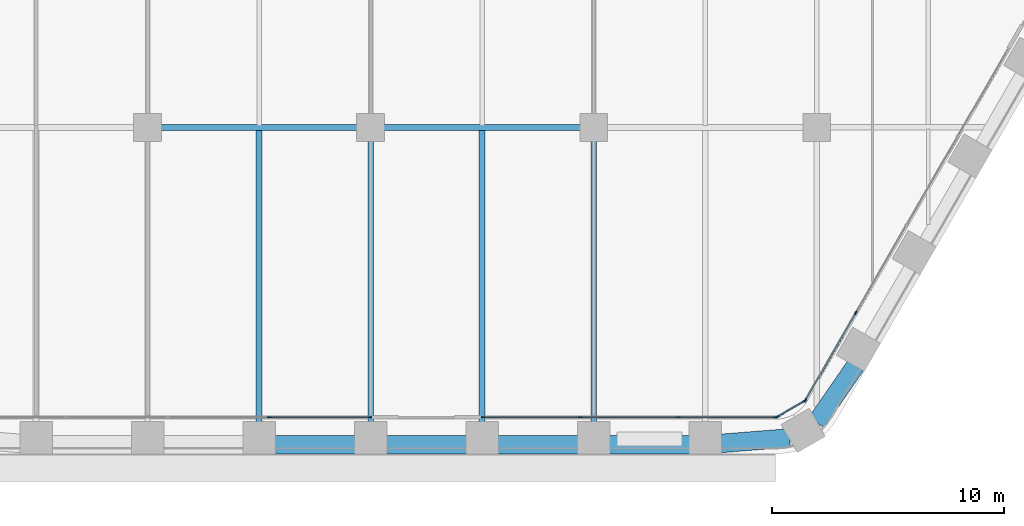
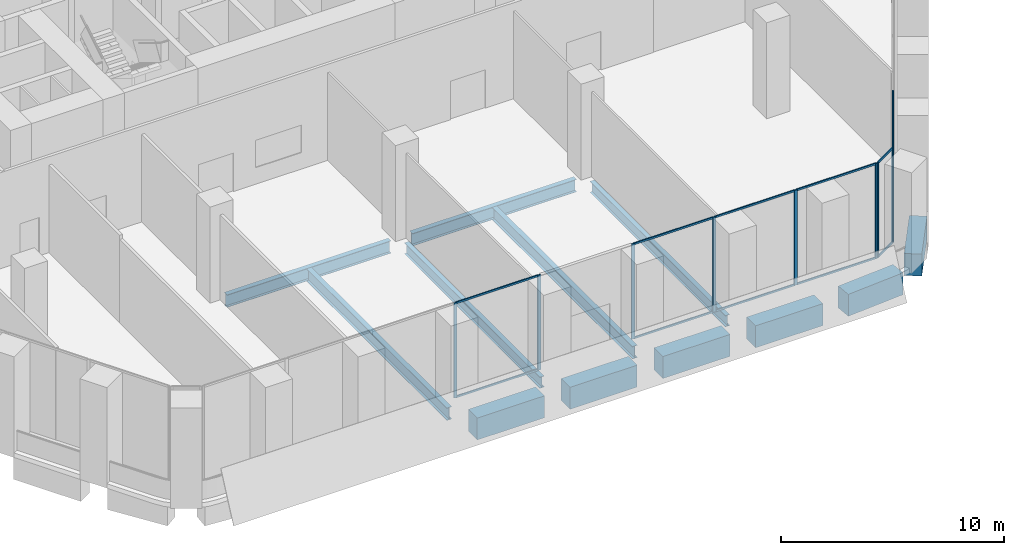
# One storey, part 4 of 29: 22 members, 12 beams, 4 elements without a shape of their own.
"""IFC4 building model written with IfcOpenShell, lengths in metres."""

import ifcopenshell
import ifcopenshell.guid

model = None  # the IFC model being written
_history = None  # IfcOwnerHistory: only IFC2X3 demands one
_inside = {}  # id of a spatial element -> (the spatial element, [elements in it])
_under = {}  # id of a project, library or spatial element -> (it, [spatial elements below it])
_declared = {}  # id of a project -> (the project, [libraries it declares])
_typed = {}  # id of a type object -> (the type object, [elements of that type])
_made_of = {}  # id of a material, layer set ... -> (it, [elements and type objects made of it])


def new_model(schema):
    """Start an empty IFC model of exactly this schema.

    Asked for "IFC4X3", IfcOpenShell would pick the latest addendum, in which some entities
    have other attributes; the version numbers below select the first issue.
    IFC2X3 requires an IfcOwnerHistory on every rooted entity: one is made here for all.
    """
    global model, _history
    if schema == "IFC4X3":
        model = ifcopenshell.file(schema_version=(4, 3, 0, 0))
    else:
        model = ifcopenshell.file(schema=schema)
    _inside.clear()
    _under.clear()
    _declared.clear()
    _typed.clear()
    _made_of.clear()
    _history = None
    if model.schema == "IFC2X3":
        org = make("IfcOrganization", Name="unknown")
        user = make(
            "IfcPersonAndOrganization",
            ThePerson=make("IfcPerson", FamilyName="unknown"),
            TheOrganization=org,
        )
        app = make(
            "IfcApplication",
            ApplicationDeveloper=org,
            Version="unknown",
            ApplicationFullName="unknown",
            ApplicationIdentifier="unknown",
        )
        _history = make(
            "IfcOwnerHistory",
            OwningUser=user,
            OwningApplication=app,
            ChangeAction="ADDED",
            CreationDate=0,
        )
    return model


def make(cls, **values):
    """One entity of the class cls with the attributes given. An attribute that is None is left unset."""
    return model.create_entity(
        cls, **{name: value for name, value in values.items() if value is not None}
    )


def rooted(cls, **values):
    """An entity with a GlobalId (a new one), such as an element, a storey or a relation."""
    return make(cls, GlobalId=ifcopenshell.guid.new(), OwnerHistory=_history, **values)


def si_unit(unit_type, name, prefix=None):
    """IfcSIUnit, for example si_unit("LENGTHUNIT", "METRE", prefix="MILLI")."""
    return make("IfcSIUnit", UnitType=unit_type, Prefix=prefix, Name=name)


def assignment(units):
    """IfcUnitAssignment: the units of a project."""
    return None if units is None else make("IfcUnitAssignment", Units=units)


def point(xyz):
    """IfcCartesianPoint."""
    return None if xyz is None else make("IfcCartesianPoint", Coordinates=xyz)


def direction(xyz):
    """IfcDirection."""
    return None if xyz is None else make("IfcDirection", DirectionRatios=xyz)


def frame(location, z_axis=None, x_axis=None):
    """IfcAxis2Placement3D, a coordinate frame: its origin and axes. An axis left out is left unset."""
    return make(
        "IfcAxis2Placement3D",
        Location=point(location),
        Axis=direction(z_axis),
        RefDirection=direction(x_axis),
    )


def frame_2d(location, x_axis=None):
    """IfcAxis2Placement2D, a coordinate frame in the plane: its origin and x axis."""
    return make(
        "IfcAxis2Placement2D", Location=point(location), RefDirection=direction(x_axis)
    )


def origin():
    """The frame at (0, 0, 0) with its axes left unset."""
    return frame((0.0, 0.0, 0.0))


def origin_2d():
    """The frame at (0, 0) in the plane with its x axis left unset."""
    return frame_2d((0.0, 0.0))


def place(relative_to, where):
    """IfcLocalPlacement: puts the frame where relative to a parent placement (None: the world)."""
    return make(
        "IfcLocalPlacement", PlacementRelTo=relative_to, RelativePlacement=where
    )


def context(
    kind, dimensions, precision=None, world=None, true_north=None, identifier=None
):
    """IfcGeometricRepresentationContext, for example the 3D "Model" context."""
    return make(
        "IfcGeometricRepresentationContext",
        ContextIdentifier=identifier,
        ContextType=kind,
        CoordinateSpaceDimension=dimensions,
        Precision=precision,
        WorldCoordinateSystem=world,
        TrueNorth=true_north,
    )


def subcontext(parent, identifier, kind, view, scale=None):
    """IfcGeometricRepresentationSubContext, for example "Body" below "Model"."""
    return make(
        "IfcGeometricRepresentationSubContext",
        ContextIdentifier=identifier,
        ContextType=kind,
        ParentContext=parent,
        TargetScale=scale,
        TargetView=view,
    )


def project(units=None, contexts=None):
    """IfcProject with its units and contexts."""
    return rooted(
        "IfcProject",
        Name="project",
        RepresentationContexts=contexts,
        UnitsInContext=assignment(units),
    )


def spatial(cls, under=None, at=None, **own):
    """A site, building, storey or space (cls), placed at a placement, below another one or the project."""
    s = rooted(cls, ObjectPlacement=at, **own)
    if under is not None:
        _under.setdefault(under.id(), (under, []))[1].append(s)
    return s


def profile(cls, at=None, kind="AREA", **sizes):
    """A parametric profile (cls). Its sizes go by their IFC names, for example OverallWidth=200.0."""
    return make(cls, ProfileType=kind, Position=at, **sizes)


def rectangle(**sizes):
    """IfcRectangleProfileDef."""
    return profile("IfcRectangleProfileDef", **sizes)


def i_section(**sizes):
    """IfcIShapeProfileDef."""
    return profile("IfcIShapeProfileDef", **sizes)


def extrude(swept, where, along, depth):
    """IfcExtrudedAreaSolid: the profile swept, set in the frame where, extruded along a direction by depth."""
    return make(
        "IfcExtrudedAreaSolid",
        SweptArea=swept,
        Position=where,
        ExtrudedDirection=direction(along),
        Depth=depth,
    )


def shape(context_of_items, identifier, shape_type, items):
    """IfcShapeRepresentation: the items that make up one representation, for example the "Body"."""
    return make(
        "IfcShapeRepresentation",
        ContextOfItems=context_of_items,
        RepresentationIdentifier=identifier,
        RepresentationType=shape_type,
        Items=items,
    )


def material(Name=None, Category=None):
    """IfcMaterial."""
    return make("IfcMaterial", Name=Name, Category=Category)


def material_profile(
    of_material, cross_section, Name=None, Category=None, Priority=None
):
    """IfcMaterialProfile: a cross section and its material."""
    return make(
        "IfcMaterialProfile",
        Name=Name,
        Material=of_material,
        Profile=cross_section,
        Priority=Priority,
        Category=Category,
    )


def profile_set(profiles, Name=None, composite=None):
    """IfcMaterialProfileSet."""
    return make(
        "IfcMaterialProfileSet",
        Name=Name,
        MaterialProfiles=profiles,
        CompositeProfile=composite,
    )


def made_of(thing, what):
    """Note that an element or type object is made of a material, layer set ...; save() writes the relation."""
    if what is not None:
        _made_of.setdefault(what.id(), (what, []))[1].append(thing)
    return thing


def type_object(cls, material=None, **own):
    """A type object (cls), such as IfcWallType, which elements share."""
    return made_of(rooted(cls, **own), material)


def element(
    cls,
    number,
    at=None,
    inside=None,
    cuts=None,
    type_object=None,
    material=None,
    context=None,
    identifier="Body",
    shape_type=None,
    held_by="IfcProductDefinitionShape",
    body=None,
    shapes=None,
    **own,
):
    """One element of the class cls, such as IfcWall. Its Tag is "e" and its number.

    at: its placement. inside: the storey or other place that contains it. cuts: it is an
    opening in that element (IfcRelVoidsElement). A single representation is given by context,
    identifier, shape_type and body (its items); several are given by shapes. held_by: the class
    of the entity that holds the representations. save() writes the other relations.
    """
    e = rooted(cls, Tag="e%d" % number, ObjectPlacement=at, **own)
    if body is not None:
        shapes = [shape(context, identifier, shape_type, body)]
    if shapes is not None:
        e.Representation = make(held_by, Representations=shapes)
    if inside is not None:
        _inside.setdefault(inside.id(), (inside, []))[1].append(e)
    if cuts is not None:
        rooted(
            "IfcRelVoidsElement", RelatingBuildingElement=cuts, RelatedOpeningElement=e
        )
    if type_object is not None:
        _typed.setdefault(type_object.id(), (type_object, []))[1].append(e)
    return made_of(e, material)


def aggregate(whole, parts):
    """IfcRelAggregates: a whole, such as a stair, and the parts it consists of."""
    return rooted("IfcRelAggregates", RelatingObject=whole, RelatedObjects=parts)


def save(model, path):
    """Write the relations noted so far, then the file.

    IfcRelAggregates (storeys below a building ...), IfcRelContainedInSpatialStructure (elements
    in a storey), IfcRelDefinesByType, IfcRelAssociatesMaterial and IfcRelDeclares: one each for
    every whole, place, type object, material and project.
    """
    for whole, parts in _under.values():
        aggregate(whole, parts)
    for where, things in _inside.values():
        rooted(
            "IfcRelContainedInSpatialStructure",
            RelatedElements=things,
            RelatingStructure=where,
        )
    for kind, things in _typed.values():
        rooted("IfcRelDefinesByType", RelatedObjects=things, RelatingType=kind)
    for what, things in _made_of.values():
        rooted("IfcRelAssociatesMaterial", RelatedObjects=things, RelatingMaterial=what)
    for by, libraries in _declared.values():
        rooted("IfcRelDeclares", RelatingContext=by, RelatedDefinitions=libraries)
    model.write(path)


model = new_model("IFC4")

# Units and contexts
model_context = context("Model", 3, precision=1e-05, world=origin(), true_north=direction((0.0, 1.0)))
body_context = subcontext(model_context, "Body", "Model", "MODEL_VIEW")
ifc_project = project(units=[si_unit("LENGTHUNIT", "METRE"), si_unit("AREAUNIT", "SQUARE_METRE"), si_unit("VOLUMEUNIT", "CUBIC_METRE"), si_unit("PLANEANGLEUNIT", "RADIAN"), si_unit("MASSUNIT", "GRAM", prefix="KILO")], contexts=[model_context])

# Site, building, storey
site_placement = place(None, origin())
site = spatial("IfcSite", under=ifc_project, at=site_placement, CompositionType="ELEMENT")
building_placement = place(site_placement, origin())
building = spatial("IfcBuilding", under=site, at=building_placement, Name="Kolab Exchange Tower", CompositionType="ELEMENT")
storey_placement = place(building_placement, frame((0.0, 0.0, 33.39990234375)))
storey = spatial("IfcBuildingStorey", under=building, at=storey_placement, Name="L06", CompositionType="ELEMENT", Elevation=33.39990234375)

# Beams
ifc_material_1 = material(Name="Steel S355", Category="steel")
ifc_material_profile_1 = material_profile(ifc_material_1, i_section(OverallWidth=0.22802734375, OverallDepth=0.60791015625, WebThickness=0.01123046875, FlangeThickness=0.017333984375, at=origin_2d()), Name="W610X113")
ifc_profile_set_1 = profile_set([ifc_material_profile_1], Name="Steel S355")
beam_type_1 = type_object("IfcBeamType", Name="FLOOR BEAM W610X113", PredefinedType="BEAM", material=ifc_profile_set_1)
for number, where, z_axis, x_axis, name in (
    (1, (0.0, -31.8955078125, -0.553955078125), (0.0, 1.0, 0.0), (-1.0, 0.0, 0.0), "beam/L06/fr/030"),
    (2, (9.60009765625, -31.8955078125, -0.553955078125), (0.0, 1.0, 0.0), (-1.0, 0.0, 0.0), "beam/L06/fr/038"),
):
    element("IfcBeam", number, at=place(storey_placement, frame(where, z_axis=z_axis, x_axis=x_axis)), inside=storey, type_object=beam_type_1, Name=name, PredefinedType="BEAM", context=body_context, shape_type="SweptSolid", body=[
        extrude(i_section(OverallWidth=0.22802734375, OverallDepth=0.60791015625, WebThickness=0.01123046875, FlangeThickness=0.017333984375, at=origin_2d()), origin(), (0.0, 0.0, 1.0), 12.135498046875),
    ])
ifc_material_profile_2 = material_profile(ifc_material_1, i_section(OverallWidth=0.25390625, OverallDepth=0.68408203125, WebThickness=0.012451171875, FlangeThickness=0.018798828125, at=origin_2d()), Name="W690X140")
ifc_profile_set_2 = profile_set([ifc_material_profile_2], Name="Steel S355")
beam_type_2 = type_object("IfcBeamType", Name="FLOOR BEAM W690X140", PredefinedType="BEAM", material=ifc_profile_set_2)
for number, where, z_axis, x_axis, name in (
    (3, (-4.800048828125, -31.8955078125, -0.591796875), (0.0, 1.0, 0.0), (-1.0, 0.0, 0.0), "beam/L06/fr/026"),
    (4, (4.800048828125, -31.8955078125, -0.591796875), (0.0, 1.0, 0.0), (-1.0, 0.0, 0.0), "beam/L06/fr/034"),
):
    element("IfcBeam", number, at=place(storey_placement, frame(where, z_axis=z_axis, x_axis=x_axis)), inside=storey, type_object=beam_type_2, Name=name, PredefinedType="BEAM", context=body_context, shape_type="SweptSolid", body=[
        extrude(i_section(OverallWidth=0.25390625, OverallDepth=0.68408203125, WebThickness=0.012451171875, FlangeThickness=0.018798828125, at=origin_2d()), origin(), (0.0, 0.0, 1.0), 12.6083984375),
    ])
ifc_material_profile_3 = material_profile(ifc_material_1, i_section(OverallWidth=0.25390625, OverallDepth=0.68408203125, WebThickness=0.012451171875, FlangeThickness=0.018798828125, at=origin_2d()), Name="W690X140")
ifc_profile_set_3 = profile_set([ifc_material_profile_3], Name="Steel S355")
beam_type_3 = type_object("IfcBeamType", Name="FLOOR GIRDER W690X140", PredefinedType="BEAM", material=ifc_profile_set_3)
for number, where, z_axis, x_axis, name in (
    (5, (-9.0400390625, -19.199951171875, -0.591796875), (1.0, 0.0, 0.0), (0.0, 1.0, 0.0), "beam/L06/gd/011"),
    (6, (0.56005859375, -19.199951171875, -0.591796875), (1.0, 0.0, 0.0), (0.0, 1.0, 0.0), "beam/L06/gd/013"),
):
    element("IfcBeam", number, at=place(storey_placement, frame(where, z_axis=z_axis, x_axis=x_axis)), inside=storey, type_object=beam_type_3, Name=name, PredefinedType="BEAM", context=body_context, shape_type="SweptSolid", body=[
        extrude(i_section(OverallWidth=0.25390625, OverallDepth=0.68408203125, WebThickness=0.012451171875, FlangeThickness=0.018798828125, at=origin_2d()), origin(), (0.0, 0.0, 1.0), 8.47998046875),
    ])
ifc_material_2 = material(Name="Concrete C80/95", Category="concrete")
ifc_material_profile_4 = material_profile(ifc_material_2, rectangle(XDim=0.800048828125, YDim=1.199951171875, at=origin_2d()), Name="RC800X1200")
ifc_profile_set_4 = profile_set([ifc_material_profile_4], Name="Concrete C80/95")
beam_type_4 = type_object("IfcBeamType", Name="SPANDREL BEAM 800X1200 C80/95", PredefinedType="BEAM", material=ifc_profile_set_4)
beam_1_placement = place(storey_placement, frame((20.8779296875, -29.44384765625, -0.849853515625), z_axis=(-0.567247290755, -0.823547516013, 0.0), x_axis=(0.823547516013, -0.567247290755, 0.0)))
element("IfcBeam", 7, at=beam_1_placement, inside=storey, type_object=beam_type_4, Name="beam/L06/sp/F3-08", PredefinedType="BEAM", context=body_context, shape_type="SweptSolid", body=[
    extrude(rectangle(XDim=0.800048828125, YDim=1.199951171875, at=origin_2d()), origin(), (0.0, 0.0, 1.0), 2.984375),
])
beam_2_placement = place(storey_placement, frame((18.03515625, -32.5654296875, -0.849853515625), z_axis=(-0.996833978278, -0.07951112973, 0.0), x_axis=(0.07951112973, -0.996833978278, 0.0)))
element("IfcBeam", 8, at=beam_2_placement, inside=storey, type_object=beam_type_4, Name="beam/L06/sp/F4-01", PredefinedType="BEAM", context=body_context, shape_type="SweptSolid", body=[
    extrude(rectangle(XDim=0.800048828125, YDim=1.199951171875, at=origin_2d()), origin(), (0.0, 0.0, 1.0), 2.984619140625),
])
for number, where, z_axis, x_axis, name in (
    (9, (13.739990234375, -32.85546875, -0.849853515625), (-1.0, 0.0, 0.0), (0.0, -1.0, 0.0), "beam/L06/sp/F4-02"),
    (10, (8.93994140625, -32.85546875, -0.849853515625), (-1.0, 0.0, 0.0), (0.0, -1.0, 0.0), "beam/L06/sp/F4-03"),
    (11, (4.139892578125, -32.85546875, -0.849853515625), (-1.0, 0.0, 0.0), (0.0, -1.0, 0.0), "beam/L06/sp/F4-04"),
    (12, (-0.659912109375, -32.85546875, -0.849853515625), (-1.0, 0.0, 0.0), (0.0, -1.0, 0.0), "beam/L06/sp/F4-05"),
):
    element("IfcBeam", number, at=place(storey_placement, frame(where, z_axis=z_axis, x_axis=x_axis)), inside=storey, type_object=beam_type_4, Name=name, PredefinedType="BEAM", context=body_context, shape_type="SweptSolid", body=[
        extrude(rectangle(XDim=0.800048828125, YDim=1.199951171875, at=origin_2d()), origin(), (0.0, 0.0, 1.0), 3.47998046875),
    ])

# Curtain wall, members
ifc_material_3 = material(Name="Aluminium EN AW-6063 T6", Category="aluminium")
curtain_wall_type = type_object("IfcCurtainWallType", Name="UNITISED LOW ZONE CURTAIN WALL", PredefinedType="NOTDEFINED", material=ifc_material_3)
curtain_wall_1_placement = place(storey_placement, origin())
curtain_wall_1 = element("IfcCurtainWall", 13, at=curtain_wall_1_placement, inside=storey, type_object=curtain_wall_type, Name="cw/L06/F3-2", PredefinedType="NOTDEFINED")
ifc_material_profile_5 = material_profile(ifc_material_3, rectangle(XDim=0.06005859375, YDim=0.159912109375, at=origin_2d()), Name="RECT 60X160")
ifc_profile_set_5 = profile_set([ifc_material_profile_5], Name="Aluminium EN AW-6063 T6")
member_type_1 = type_object("IfcMemberType", Name="UNITISED LOW ZONE MULLION 60 X 160", PredefinedType="MULLION", material=ifc_profile_set_5)
member_1_placement = place(storey_placement, frame((20.881103515625, -27.183349609375, 0.0), z_axis=(0.0, 0.0, 1.0), x_axis=(0.866025397318, -0.5000000112, 0.0)))
member_1 = element("IfcMember", 14, at=member_1_placement, type_object=member_type_1, Name="CW1 mullion 4", PredefinedType="MULLION", context=body_context, shape_type="SweptSolid", body=[
    extrude(rectangle(XDim=0.06005859375, YDim=0.159912109375, at=origin_2d()), origin(), (0.0, 0.0, 1.0), 5.2001953125),
])
member_2_placement = place(storey_placement, frame((18.712646484375, -30.939453125, 0.0), z_axis=(0.0, 0.0, 1.0), x_axis=(0.866025397318, -0.5000000112, 0.0)))
member_2 = element("IfcMember", 15, at=member_2_placement, type_object=member_type_1, Name="CW1 mullion 5", PredefinedType="MULLION", context=body_context, shape_type="SweptSolid", body=[
    extrude(rectangle(XDim=0.06005859375, YDim=0.159912109375, at=origin_2d()), origin(), (0.0, 0.0, 1.0), 5.2001953125),
])

curtain_wall_2_placement = place(storey_placement, origin())
curtain_wall_2 = element("IfcCurtainWall", 16, at=curtain_wall_2_placement, inside=storey, type_object=curtain_wall_type, Name="cw/L06/F4-1", PredefinedType="NOTDEFINED")
member_3_placement = place(storey_placement, frame((17.43798828125, -31.67529296875, 0.0), z_axis=(0.0, 0.0, 1.0), x_axis=(0.0, -1.0, 0.0)))
member_3 = element("IfcMember", 17, at=member_3_placement, type_object=member_type_1, Name="CW1 mullion 1", PredefinedType="MULLION", context=body_context, shape_type="SweptSolid", body=[
    extrude(rectangle(XDim=0.06005859375, YDim=0.159912109375, at=origin_2d()), origin(), (0.0, 0.0, 1.0), 5.2001953125),
])
member_4_placement = place(storey_placement, frame((13.245361328125, -31.67529296875, 0.0), z_axis=(0.0, 0.0, 1.0), x_axis=(0.0, -1.0, 0.0)))
member_4 = element("IfcMember", 18, at=member_4_placement, type_object=member_type_1, Name="CW1 mullion 2", PredefinedType="MULLION", context=body_context, shape_type="SweptSolid", body=[
    extrude(rectangle(XDim=0.06005859375, YDim=0.159912109375, at=origin_2d()), origin(), (0.0, 0.0, 1.0), 5.2001953125),
])
member_5_placement = place(storey_placement, frame((9.022705078125, -31.67529296875, 0.0), z_axis=(0.0, 0.0, 1.0), x_axis=(0.0, -1.0, 0.0)))
member_5 = element("IfcMember", 19, at=member_5_placement, type_object=member_type_1, Name="CW1 mullion 3", PredefinedType="MULLION", context=body_context, shape_type="SweptSolid", body=[
    extrude(rectangle(XDim=0.06005859375, YDim=0.159912109375, at=origin_2d()), origin(), (0.0, 0.0, 1.0), 5.2001953125),
])
member_6_placement = place(storey_placement, frame((4.830078125, -31.67529296875, 0.0), z_axis=(0.0, 0.0, 1.0), x_axis=(0.0, -1.0, 0.0)))
member_6 = element("IfcMember", 20, at=member_6_placement, type_object=member_type_1, Name="CW1 mullion 4", PredefinedType="MULLION", context=body_context, shape_type="SweptSolid", body=[
    extrude(rectangle(XDim=0.06005859375, YDim=0.159912109375, at=origin_2d()), origin(), (0.0, 0.0, 1.0), 5.2001953125),
])

curtain_wall_3_placement = place(storey_placement, origin())
curtain_wall_3 = element("IfcCurtainWall", 21, at=curtain_wall_3_placement, inside=storey, type_object=curtain_wall_type, Name="cw/L06/F4-2", PredefinedType="NOTDEFINED")
member_7_placement = place(storey_placement, frame((-0.030029296875, -31.67529296875, 0.0), z_axis=(0.0, 0.0, 1.0), x_axis=(0.0, -1.0, 0.0)))
member_7 = element("IfcMember", 22, at=member_7_placement, type_object=member_type_1, Name="CW1 mullion 1", PredefinedType="MULLION", context=body_context, shape_type="SweptSolid", body=[
    extrude(rectangle(XDim=0.06005859375, YDim=0.159912109375, at=origin_2d()), origin(), (0.0, 0.0, 1.0), 5.2001953125),
])
member_8_placement = place(storey_placement, frame((-4.366943359375, -31.67529296875, 0.0), z_axis=(0.0, 0.0, 1.0), x_axis=(0.0, -1.0, 0.0)))
member_8 = element("IfcMember", 23, at=member_8_placement, type_object=member_type_1, Name="CW1 mullion 2", PredefinedType="MULLION", context=body_context, shape_type="SweptSolid", body=[
    extrude(rectangle(XDim=0.06005859375, YDim=0.159912109375, at=origin_2d()), origin(), (0.0, 0.0, 1.0), 5.2001953125),
])

curtain_wall_4_placement = place(storey_placement, origin())
curtain_wall_4 = element("IfcCurtainWall", 24, at=curtain_wall_4_placement, inside=storey, type_object=curtain_wall_type, Name="cw/L06/F3F4-corner", PredefinedType="NOTDEFINED")
member_9_placement = place(storey_placement, frame((18.671630859375, -30.98046875, 0.0), z_axis=(0.0, 0.0, 1.0), x_axis=(0.50000002237, -0.866025390869, 0.0)))
member_9 = element("IfcMember", 25, at=member_9_placement, type_object=member_type_1, Name="CW1 mullion 1", PredefinedType="MULLION", context=body_context, shape_type="SweptSolid", body=[
    extrude(rectangle(XDim=0.06005859375, YDim=0.159912109375, at=origin_2d()), origin(), (0.0, 0.0, 1.0), 5.2001953125),
])
member_10_placement = place(storey_placement, frame((17.493896484375, -31.660400390625, 0.0), z_axis=(0.0, 0.0, 1.0), x_axis=(0.50000002237, -0.866025390869, 0.0)))
member_10 = element("IfcMember", 26, at=member_10_placement, type_object=member_type_1, Name="CW1 mullion 2", PredefinedType="MULLION", context=body_context, shape_type="SweptSolid", body=[
    extrude(rectangle(XDim=0.06005859375, YDim=0.159912109375, at=origin_2d()), origin(), (0.0, 0.0, 1.0), 5.2001953125),
])

# Member
ifc_material_profile_6 = material_profile(ifc_material_3, rectangle(XDim=0.06005859375, YDim=0.10009765625, at=origin_2d()), Name="RECT 60X100")
ifc_profile_set_6 = profile_set([ifc_material_profile_6], Name="Aluminium EN AW-6063 T6")
member_type_2 = type_object("IfcMemberType", Name="UNITISED LOW ZONE TRANSOM 60 X 100", PredefinedType="USERDEFINED", material=ifc_profile_set_6)
member_11_placement = place(storey_placement, frame((20.8662109375, -27.20947265625, 0.030029296875), z_axis=(-0.500000816281, -0.866024932504, 0.0), x_axis=(0.866024932504, -0.500000816281, 0.0)))
member_11 = element("IfcMember", 27, at=member_11_placement, type_object=member_type_2, Name="CW1 transom 4.1", ObjectType="TRANSOM", PredefinedType="USERDEFINED", context=body_context, shape_type="SweptSolid", body=[
    extrude(rectangle(XDim=0.06005859375, YDim=0.10009765625, at=origin_2d()), origin(), (0.0, 0.0, 1.0), 4.27685546875),
])

member_12_placement = place(storey_placement, frame((20.8662109375, -27.20947265625, 5.170166015625), z_axis=(-0.500000816281, -0.866024932504, 0.0), x_axis=(0.866024932504, -0.500000816281, 0.0)))
member_12 = element("IfcMember", 28, at=member_12_placement, type_object=member_type_2, Name="CW1 transom 4.2", ObjectType="TRANSOM", PredefinedType="USERDEFINED", context=body_context, shape_type="SweptSolid", body=[
    extrude(rectangle(XDim=0.06005859375, YDim=0.10009765625, at=origin_2d()), origin(), (0.0, 0.0, 1.0), 4.27685546875),
])

aggregate(curtain_wall_1, [member_1, member_2, member_11, member_12])

member_13_placement = place(storey_placement, frame((17.407958984375, -31.67529296875, 0.030029296875), z_axis=(-1.0, 0.0, 0.0), x_axis=(0.0, -1.0, 0.0)))
member_13 = element("IfcMember", 29, at=member_13_placement, type_object=member_type_2, Name="CW1 transom 1.1", ObjectType="TRANSOM", PredefinedType="USERDEFINED", context=body_context, shape_type="SweptSolid", body=[
    extrude(rectangle(XDim=0.06005859375, YDim=0.10009765625, at=origin_2d()), origin(), (0.0, 0.0, 1.0), 4.132568359375),
])

member_14_placement = place(storey_placement, frame((17.407958984375, -31.67529296875, 5.170166015625), z_axis=(-1.0, 0.0, 0.0), x_axis=(0.0, -1.0, 0.0)))
member_14 = element("IfcMember", 30, at=member_14_placement, type_object=member_type_2, Name="CW1 transom 1.2", ObjectType="TRANSOM", PredefinedType="USERDEFINED", context=body_context, shape_type="SweptSolid", body=[
    extrude(rectangle(XDim=0.06005859375, YDim=0.10009765625, at=origin_2d()), origin(), (0.0, 0.0, 1.0), 4.132568359375),
])

member_15_placement = place(storey_placement, frame((13.21533203125, -31.67529296875, 0.030029296875), z_axis=(-1.0, 0.0, 0.0), x_axis=(0.0, -1.0, 0.0)))
member_15 = element("IfcMember", 31, at=member_15_placement, type_object=member_type_2, Name="CW1 transom 2.1", ObjectType="TRANSOM", PredefinedType="USERDEFINED", context=body_context, shape_type="SweptSolid", body=[
    extrude(rectangle(XDim=0.06005859375, YDim=0.10009765625, at=origin_2d()), origin(), (0.0, 0.0, 1.0), 4.16259765625),
])

member_16_placement = place(storey_placement, frame((13.21533203125, -31.67529296875, 5.170166015625), z_axis=(-1.0, 0.0, 0.0), x_axis=(0.0, -1.0, 0.0)))
member_16 = element("IfcMember", 32, at=member_16_placement, type_object=member_type_2, Name="CW1 transom 2.2", ObjectType="TRANSOM", PredefinedType="USERDEFINED", context=body_context, shape_type="SweptSolid", body=[
    extrude(rectangle(XDim=0.06005859375, YDim=0.10009765625, at=origin_2d()), origin(), (0.0, 0.0, 1.0), 4.16259765625),
])

member_17_placement = place(storey_placement, frame((8.99267578125, -31.67529296875, 0.030029296875), z_axis=(-1.0, 0.0, 0.0), x_axis=(0.0, -1.0, 0.0)))
member_17 = element("IfcMember", 33, at=member_17_placement, type_object=member_type_2, Name="CW1 transom 3.1", ObjectType="TRANSOM", PredefinedType="USERDEFINED", context=body_context, shape_type="SweptSolid", body=[
    extrude(rectangle(XDim=0.06005859375, YDim=0.10009765625, at=origin_2d()), origin(), (0.0, 0.0, 1.0), 4.132568359375),
])

member_18_placement = place(storey_placement, frame((8.99267578125, -31.67529296875, 5.170166015625), z_axis=(-1.0, 0.0, 0.0), x_axis=(0.0, -1.0, 0.0)))
member_18 = element("IfcMember", 34, at=member_18_placement, type_object=member_type_2, Name="CW1 transom 3.2", ObjectType="TRANSOM", PredefinedType="USERDEFINED", context=body_context, shape_type="SweptSolid", body=[
    extrude(rectangle(XDim=0.06005859375, YDim=0.10009765625, at=origin_2d()), origin(), (0.0, 0.0, 1.0), 4.132568359375),
])

aggregate(curtain_wall_2, [member_3, member_4, member_5, member_6, member_13, member_14, member_15, member_16, member_17, member_18])

member_19_placement = place(storey_placement, frame((-0.06005859375, -31.67529296875, 0.030029296875), z_axis=(-1.0, 0.0, 0.0), x_axis=(0.0, -1.0, 0.0)))
member_19 = element("IfcMember", 35, at=member_19_placement, type_object=member_type_2, Name="CW1 transom 1.1", ObjectType="TRANSOM", PredefinedType="USERDEFINED", context=body_context, shape_type="SweptSolid", body=[
    extrude(rectangle(XDim=0.06005859375, YDim=0.10009765625, at=origin_2d()), origin(), (0.0, 0.0, 1.0), 4.27685546875),
])

member_20_placement = place(storey_placement, frame((-0.06005859375, -31.67529296875, 5.170166015625), z_axis=(-1.0, 0.0, 0.0), x_axis=(0.0, -1.0, 0.0)))
member_20 = element("IfcMember", 36, at=member_20_placement, type_object=member_type_2, Name="CW1 transom 1.2", ObjectType="TRANSOM", PredefinedType="USERDEFINED", context=body_context, shape_type="SweptSolid", body=[
    extrude(rectangle(XDim=0.06005859375, YDim=0.10009765625, at=origin_2d()), origin(), (0.0, 0.0, 1.0), 4.27685546875),
])

aggregate(curtain_wall_3, [member_7, member_8, member_19, member_20])

member_21_placement = place(storey_placement, frame((18.645751953125, -30.995361328125, 0.030029296875), z_axis=(-0.86603858612, -0.49997716683, 0.0), x_axis=(0.49997716683, -0.86603858612, 0.0)))
member_21 = element("IfcMember", 37, at=member_21_placement, type_object=member_type_2, Name="CW1 transom 1.1", ObjectType="TRANSOM", PredefinedType="USERDEFINED", context=body_context, shape_type="SweptSolid", body=[
    extrude(rectangle(XDim=0.06005859375, YDim=0.10009765625, at=origin_2d()), origin(), (0.0, 0.0, 1.0), 1.2998046875),
])

member_22_placement = place(storey_placement, frame((18.645751953125, -30.995361328125, 5.170166015625), z_axis=(-0.86603858612, -0.49997716683, 0.0), x_axis=(0.49997716683, -0.86603858612, 0.0)))
member_22 = element("IfcMember", 38, at=member_22_placement, type_object=member_type_2, Name="CW1 transom 1.2", ObjectType="TRANSOM", PredefinedType="USERDEFINED", context=body_context, shape_type="SweptSolid", body=[
    extrude(rectangle(XDim=0.06005859375, YDim=0.10009765625, at=origin_2d()), origin(), (0.0, 0.0, 1.0), 1.2998046875),
])

aggregate(curtain_wall_4, [member_9, member_10, member_21, member_22])

save(model, "model.ifc")
